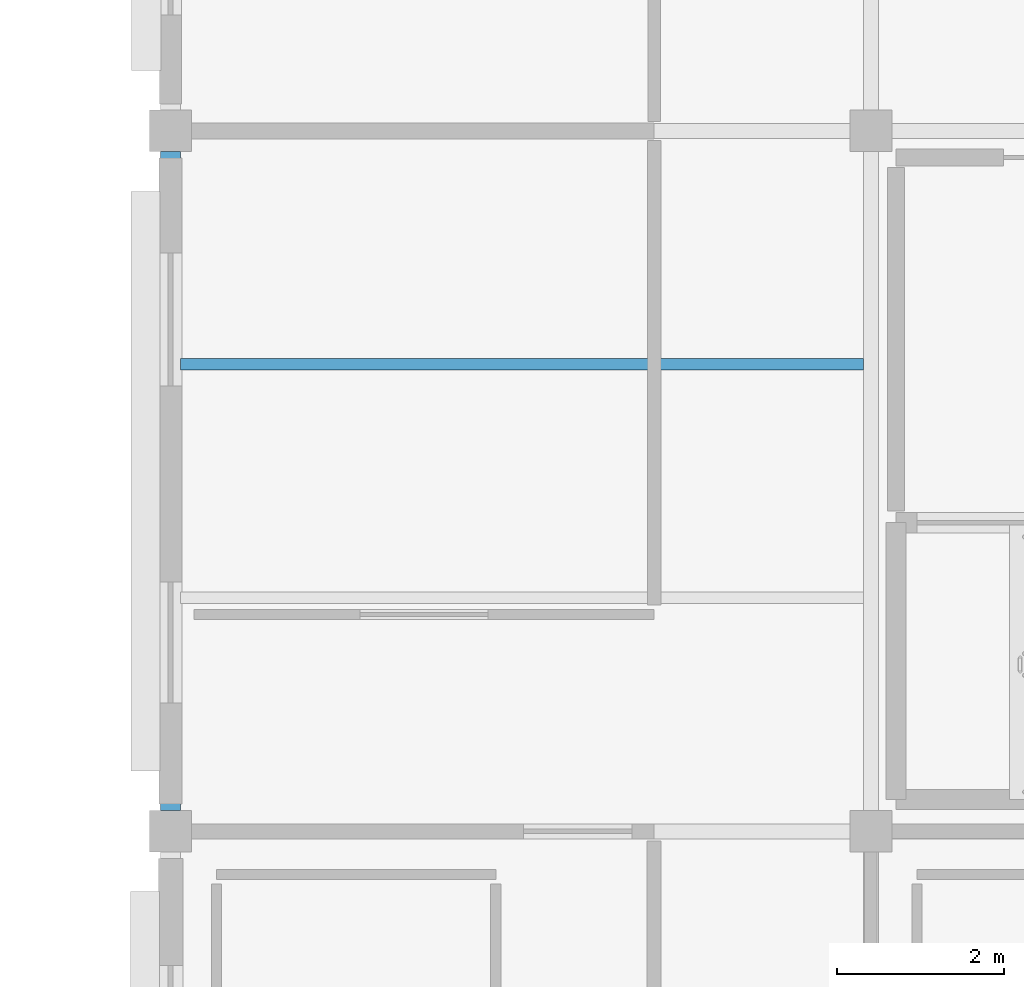
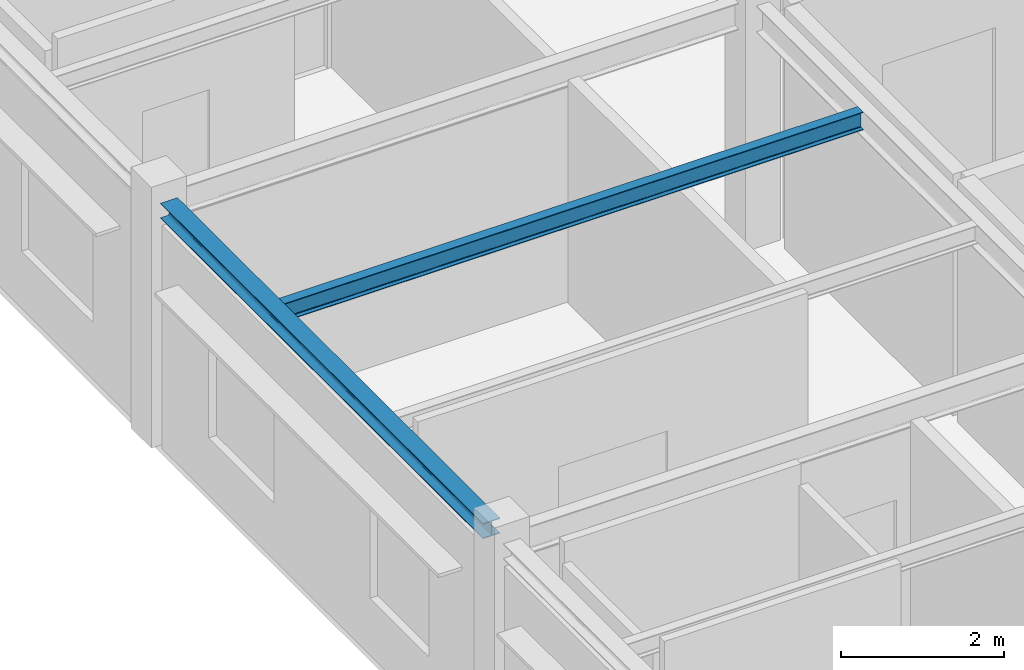
# One storey, part 3 of 53: 2 beams.
"""IFC4 building model written with IfcOpenShell, lengths in metres."""

from ifc_helpers import new_model, si_unit, direction, frame, origin, origin_2d, place, context, subcontext, project, spatial, i_section, extrude, material, material_profile, profile_set, type_object, element, save


model = new_model("IFC4")

# Units and contexts
model_context = context("Model", 3, precision=1e-05, world=origin(), true_north=direction((0.0, 1.0)))
body_context = subcontext(model_context, "Body", "Model", "MODEL_VIEW")
ifc_project = project(units=[si_unit("LENGTHUNIT", "METRE"), si_unit("AREAUNIT", "SQUARE_METRE"), si_unit("VOLUMEUNIT", "CUBIC_METRE"), si_unit("PLANEANGLEUNIT", "RADIAN"), si_unit("MASSUNIT", "GRAM", prefix="KILO")], contexts=[model_context])

# Site, building, storey
site_placement = place(None, origin())
site = spatial("IfcSite", under=ifc_project, at=site_placement, CompositionType="ELEMENT")
building_placement = place(site_placement, origin())
building = spatial("IfcBuilding", under=site, at=building_placement, Name="Bramfleet General Hospital", CompositionType="ELEMENT")
storey_placement = place(building_placement, frame((0.0, 0.0, 26.39990234375)))
storey = spatial("IfcBuildingStorey", under=building, at=storey_placement, Name="L06", CompositionType="ELEMENT", Elevation=26.39990234375)

# Beams
ifc_material = material(Name="Steel S355", Category="steel")
ifc_material_profile_1 = material_profile(ifc_material, i_section(OverallWidth=0.239990234375, OverallDepth=0.22998046875, WebThickness=0.007568359375, FlangeThickness=0.011962890625, FilletRadius=0.02099609375, at=origin_2d()), Name="HEA 240")
ifc_profile_set_1 = profile_set([ifc_material_profile_1], Name="Steel S355")
beam_type_1 = type_object("IfcBeamType", Name="BM-HEA240", PredefinedType="SPANDREL", material=ifc_profile_set_1)
beam_1_placement = place(storey_placement, frame((92.39990234375, 8.64990234375, 3.505126953125), z_axis=(0.0, 1.0, 0.0), x_axis=(-1.0, 0.0, 0.0)))
element("IfcBeam", 1, at=beam_1_placement, inside=storey, type_object=beam_type_1, Name="L06 Grid Beam Y 11-01", PredefinedType="SPANDREL", context=body_context, shape_type="SweptSolid", body=[
    extrude(i_section(OverallWidth=0.239990234375, OverallDepth=0.22998046875, WebThickness=0.007568359375, FlangeThickness=0.011962890625, FilletRadius=0.02099609375, at=origin_2d()), origin(), (0.0, 0.0, 1.0), 7.900146484375),
])
ifc_material_profile_2 = material_profile(ifc_material, i_section(OverallWidth=0.135009765625, OverallDepth=0.27001953125, WebThickness=0.006591796875, FlangeThickness=0.01025390625, FilletRadius=0.014892578125, at=origin_2d()), Name="IPE 270")
ifc_profile_set_2 = profile_set([ifc_material_profile_2], Name="Steel S355")
beam_type_2 = type_object("IfcBeamType", Name="BM-IPE270", PredefinedType="JOIST", material=ifc_profile_set_2)
beam_2_placement = place(storey_placement, frame((92.52001953125, 14.0, 3.485107421875), z_axis=(1.0, 0.0, 0.0), x_axis=(0.0, 1.0, 0.0)))
element("IfcBeam", 2, at=beam_2_placement, inside=storey, type_object=beam_type_2, Name="L06 Secondary Joist 11-01-2", PredefinedType="JOIST", context=body_context, shape_type="SweptSolid", body=[
    extrude(i_section(OverallWidth=0.135009765625, OverallDepth=0.27001953125, WebThickness=0.006591796875, FlangeThickness=0.01025390625, FilletRadius=0.014892578125, at=origin_2d()), origin(), (0.0, 0.0, 1.0), 8.18994140625),
])

save(model, "model.ifc")
